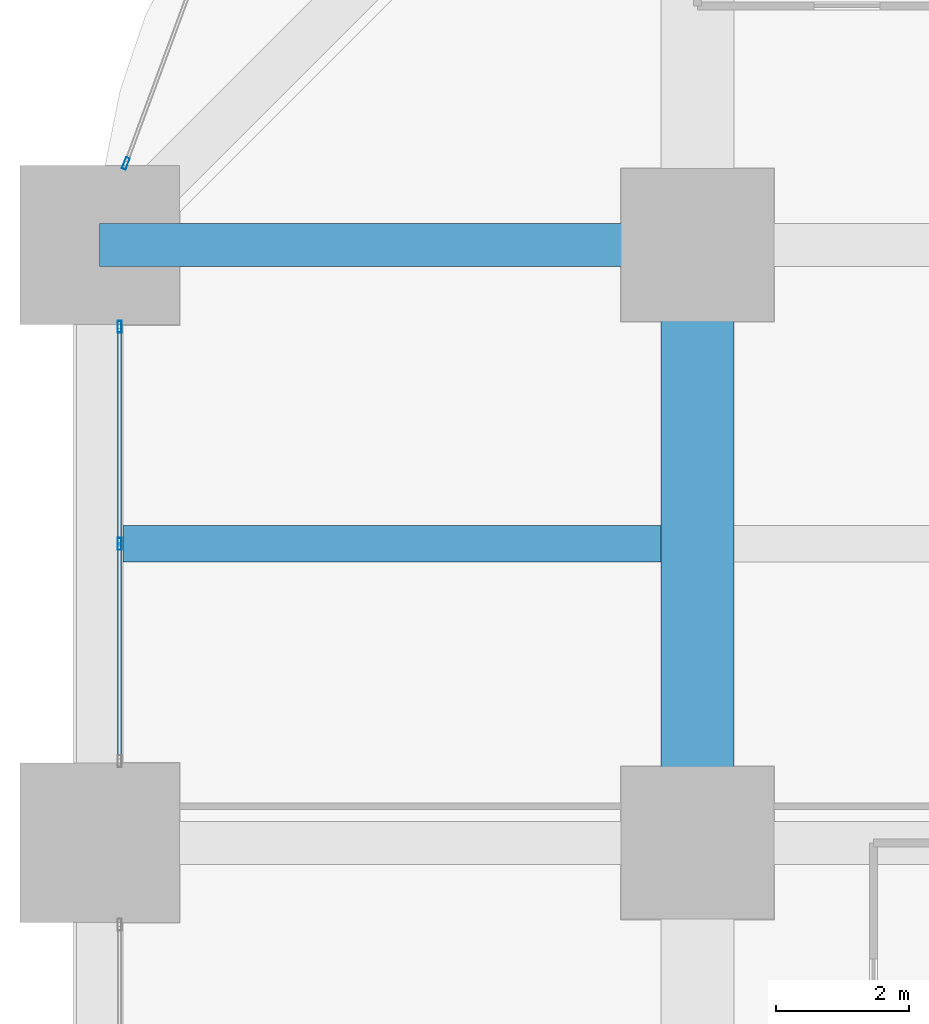
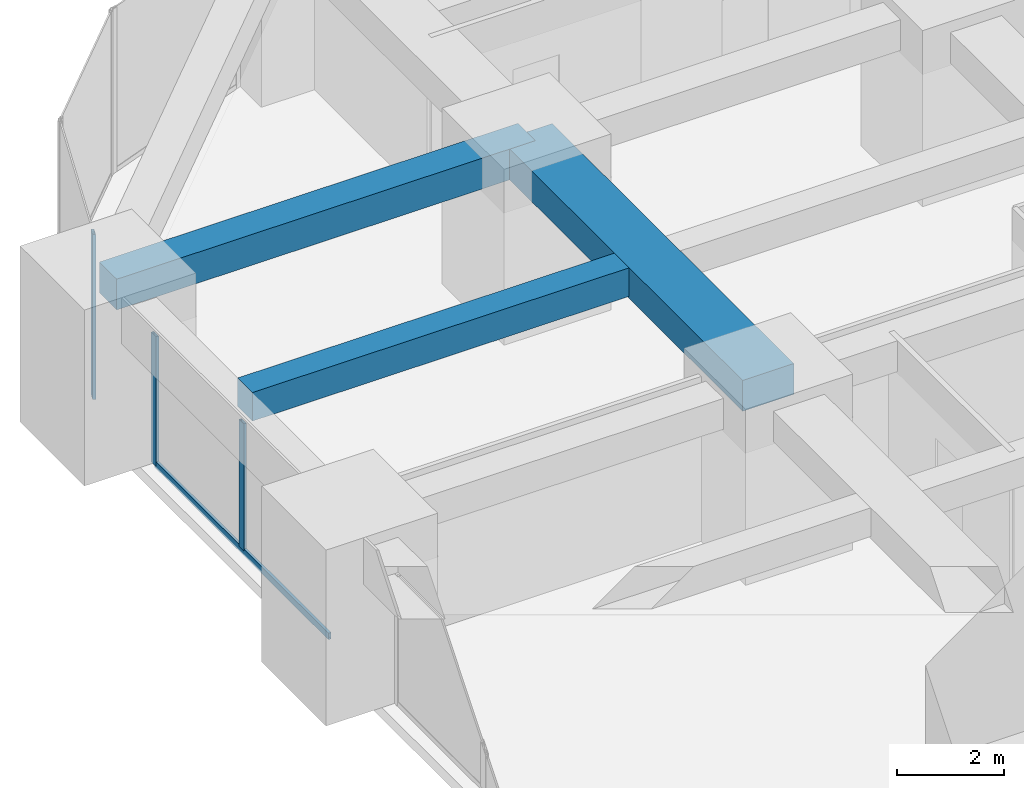
# One storey, part 25 of 45: 4 members, 3 beams, 2 elements without a shape of their own.
"""IFC4 building model written with IfcOpenShell, lengths in metres."""

from ifc_helpers import new_model, si_unit, direction, frame, origin, origin_2d, place, context, subcontext, project, spatial, rectangle, hollow_rectangle, extrude, material, material_profile, profile_set, type_object, element, aggregate, save


model = new_model("IFC4")

# Units and contexts
model_context = context("Model", 3, precision=1e-05, world=origin(), true_north=direction((0.0, 1.0)))
body_context = subcontext(model_context, "Body", "Model", "MODEL_VIEW")
ifc_project = project(units=[si_unit("LENGTHUNIT", "METRE"), si_unit("AREAUNIT", "SQUARE_METRE"), si_unit("VOLUMEUNIT", "CUBIC_METRE"), si_unit("PLANEANGLEUNIT", "RADIAN"), si_unit("MASSUNIT", "GRAM", prefix="KILO")], contexts=[model_context])

# Site, building, storey
site_placement = place(None, origin())
site = spatial("IfcSite", under=ifc_project, at=site_placement, CompositionType="ELEMENT")
building_placement = place(site_placement, origin())
building = spatial("IfcBuilding", under=site, at=building_placement, Name="Zorevar Civic Tower", CompositionType="ELEMENT")
storey_placement = place(building_placement, frame((0.0, 0.0, 47.800048828125)))
storey = spatial("IfcBuildingStorey", under=building, at=storey_placement, Name="L11", CompositionType="ELEMENT", Elevation=47.800048828125)

# Beams
ifc_material_1 = material(Name="Concrete C50/60", Category="concrete")
ifc_material_profile_1 = material_profile(ifc_material_1, rectangle(XDim=1.10009765625, YDim=0.699951171875, at=origin_2d()), Name="RC 1100x700")
ifc_profile_set_1 = profile_set([ifc_material_profile_1], Name="Concrete C50/60")
beam_type_1 = type_object("IfcBeamType", Name="Beam RC 1100x700", PredefinedType="BEAM", material=ifc_profile_set_1)
beam_1_placement = place(storey_placement, frame((9.0, 36.0, 3.39990234375), z_axis=(0.0, 1.0, 0.0), x_axis=(-1.0, 0.0, 0.0)))
element("IfcBeam", 1, at=beam_1_placement, inside=storey, type_object=beam_type_1, Name="Girder L12", PredefinedType="BEAM", context=body_context, shape_type="SweptSolid", body=[
    extrude(rectangle(XDim=1.10009765625, YDim=0.699951171875, at=origin_2d()), origin(), (0.0, 0.0, 1.0), 9.0),
])
ifc_material_2 = material(Name="Concrete C50/60", Category="concrete")
ifc_material_profile_2 = material_profile(ifc_material_2, rectangle(XDim=0.550048828125, YDim=0.64990234375, at=origin_2d()), Name="RC 550x650")
ifc_profile_set_2 = profile_set([ifc_material_profile_2], Name="Concrete C50/60")
beam_type_2 = type_object("IfcBeamType", Name="Beam RC 550x650", PredefinedType="BEAM", material=ifc_profile_set_2)
beam_2_placement = place(storey_placement, frame((0.35009765625, 40.5, 3.425048828125), z_axis=(1.0, 0.0, 0.0), x_axis=(0.0, 1.0, 0.0)))
element("IfcBeam", 2, at=beam_2_placement, inside=storey, type_object=beam_type_2, Name="Secondary beam L12", PredefinedType="BEAM", context=body_context, shape_type="SweptSolid", body=[
    extrude(rectangle(XDim=0.550048828125, YDim=0.64990234375, at=origin_2d()), origin(), (0.0, 0.0, 1.0), 8.099853515625),
])
ifc_material_3 = material(Name="Concrete C50/60", Category="concrete")
ifc_material_profile_3 = material_profile(ifc_material_3, rectangle(XDim=0.64990234375, YDim=0.699951171875, at=origin_2d()), Name="RC 650x700")
ifc_profile_set_3 = profile_set([ifc_material_profile_3], Name="Concrete C50/60")
beam_type_3 = type_object("IfcBeamType", Name="Beam RC 650x700", PredefinedType="BEAM", material=ifc_profile_set_3)
beam_3_placement = place(storey_placement, frame((0.0, 45.0, 3.39990234375), z_axis=(1.0, 0.0, 0.0), x_axis=(0.0, 1.0, 0.0)))
element("IfcBeam", 3, at=beam_3_placement, inside=storey, type_object=beam_type_3, Name="Girder L12", PredefinedType="BEAM", context=body_context, shape_type="SweptSolid", body=[
    extrude(rectangle(XDim=0.64990234375, YDim=0.699951171875, at=origin_2d()), origin(), (0.0, 0.0, 1.0), 9.0),
])

# Curtain wall, members
ifc_material_4 = material(Name="Dark grey solar-control glass in black aluminium frame", Category="aluminium")
curtain_wall_type = type_object("IfcCurtainWallType", Name="Curtain wall CW2 low zone", PredefinedType="NOTDEFINED", material=ifc_material_4)
curtain_wall_1_placement = place(storey_placement, origin())
curtain_wall_1 = element("IfcCurtainWall", 4, at=curtain_wall_1_placement, inside=storey, type_object=curtain_wall_type, Name="CW2 L11", PredefinedType="NOTDEFINED")
ifc_material_5 = material(Name="Aluminium, black anodised", Category="aluminium")
ifc_material_profile_4 = material_profile(ifc_material_5, hollow_rectangle(XDim=0.06005859375, YDim=0.179931640625, WallThickness=0.00390625, at=origin_2d()), Name="AL 180x60x4")
ifc_profile_set_4 = profile_set([ifc_material_profile_4], Name="Aluminium, black anodised")
member_type_1 = type_object("IfcMemberType", Name="CW2 mullion AL 180x60x4", PredefinedType="MULLION", material=ifc_profile_set_4)
member_1_placement = place(storey_placement, frame((0.300048828125, 40.5, 0.06005859375), z_axis=(0.0, 0.0, 1.0), x_axis=(-1.0, 0.0, 0.0)))
member_1 = element("IfcMember", 5, at=member_1_placement, type_object=member_type_1, Name="CW2 mullion 2", PredefinedType="MULLION", context=body_context, shape_type="SweptSolid", body=[
    extrude(hollow_rectangle(XDim=0.06005859375, YDim=0.179931640625, WallThickness=0.00390625, at=origin_2d()), origin(), (0.0, 0.0, 1.0), 2.889892578125),
])
member_2_placement = place(storey_placement, frame((0.300048828125, 43.77001953125, 0.0), z_axis=(0.0, 0.0, 1.0), x_axis=(-1.0, 0.0, 0.0)))
member_2 = element("IfcMember", 6, at=member_2_placement, type_object=member_type_1, Name="CW2 mullion 3", PredefinedType="MULLION", context=body_context, shape_type="SweptSolid", body=[
    extrude(hollow_rectangle(XDim=0.06005859375, YDim=0.179931640625, WallThickness=0.00390625, at=origin_2d()), origin(), (0.0, 0.0, 1.0), 2.949951171875),
])

# Curtain wall, member
curtain_wall_2_placement = place(storey_placement, origin())
curtain_wall_2 = element("IfcCurtainWall", 7, at=curtain_wall_2_placement, inside=storey, type_object=curtain_wall_type, Name="CW2 L11", PredefinedType="NOTDEFINED")
member_3_placement = place(storey_placement, frame((0.3935546875, 46.22802734375, 0.0), z_axis=(0.0, 0.0, 1.0), x_axis=(0.937974588163, -0.346704012033, 0.0)))
member_3 = element("IfcMember", 8, at=member_3_placement, type_object=member_type_1, Name="CW2 mullion 2", PredefinedType="MULLION", context=body_context, shape_type="SweptSolid", body=[
    extrude(hollow_rectangle(XDim=0.06005859375, YDim=0.179931640625, WallThickness=0.00390625, at=origin_2d()), origin(), (0.0, 0.0, 1.0), 3.75),
])
aggregate(curtain_wall_2, [member_3])

# Member
ifc_material_6 = material(Name="Aluminium, black anodised", Category="aluminium")
ifc_material_profile_5 = material_profile(ifc_material_6, hollow_rectangle(XDim=0.06005859375, YDim=0.14990234375, WallThickness=0.00390625, at=origin_2d()), Name="AL 150x60x4")
ifc_profile_set_5 = profile_set([ifc_material_profile_5], Name="Aluminium, black anodised")
member_type_2 = type_object("IfcMemberType", Name="CW2 transom AL 150x60x4", PredefinedType="USERDEFINED", material=ifc_profile_set_5)
member_4_placement = place(storey_placement, frame((0.300048828125, 37.260009765625, 0.030029296875), z_axis=(0.0, 1.0, 0.0), x_axis=(-1.0, 0.0, 0.0)))
member_4 = element("IfcMember", 9, at=member_4_placement, type_object=member_type_2, Name="CW2 sill transom", ObjectType="TRANSOM", PredefinedType="USERDEFINED", context=body_context, shape_type="SweptSolid", body=[
    extrude(hollow_rectangle(XDim=0.06005859375, YDim=0.14990234375, WallThickness=0.00390625, at=origin_2d()), origin(), (0.0, 0.0, 1.0), 6.47998046875),
])

aggregate(curtain_wall_1, [member_1, member_2, member_4])

save(model, "model.ifc")
